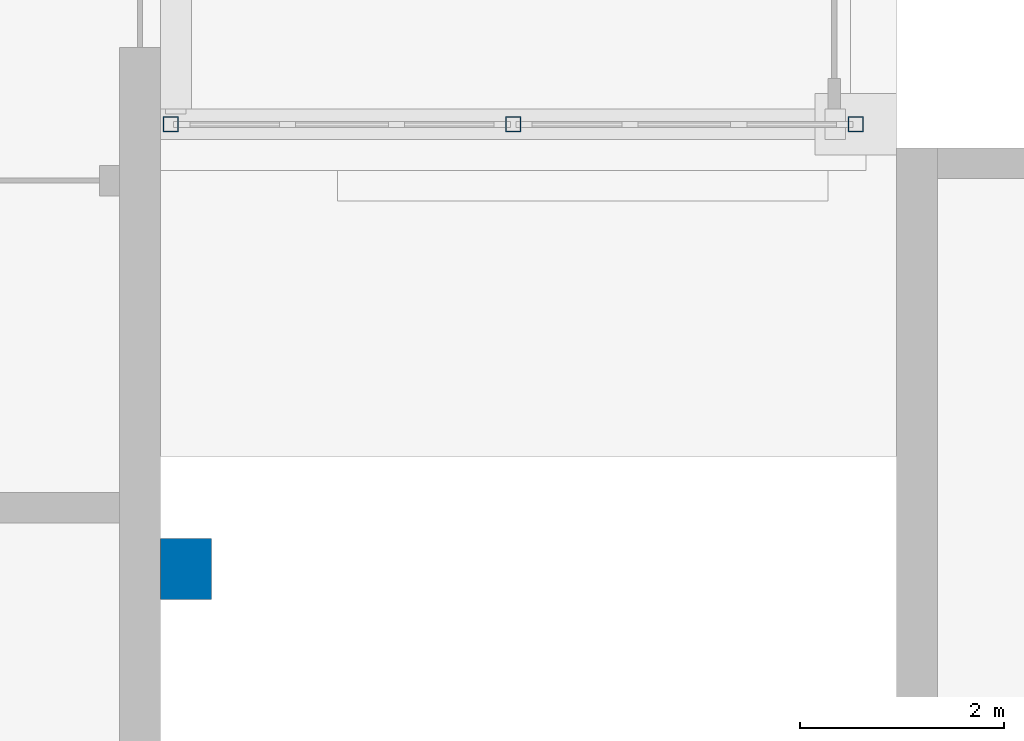
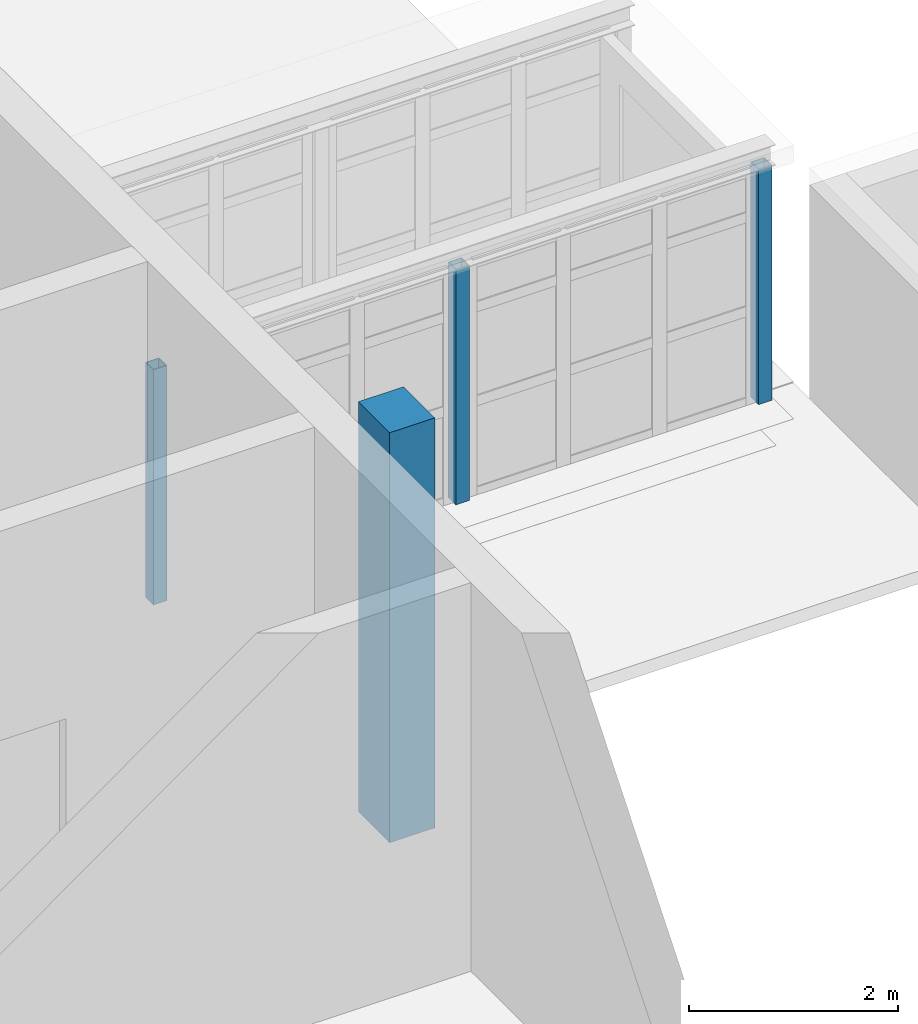
# One storey, part 16 of 131: 4 columns.
"""IFC4 building model written with IfcOpenShell, lengths in metres."""

from ifc_helpers import new_model, si_unit, direction, frame, origin, origin_2d, place, context, subcontext, project, spatial, rectangle, hollow_rectangle, extrude, material, material_profile, profile_set, type_object, element, save


model = new_model("IFC4")

# Units and contexts
model_context = context("Model", 3, precision=1e-05, world=origin(), true_north=direction((0.0, 1.0)))
body_context = subcontext(model_context, "Body", "Model", "MODEL_VIEW")
ifc_project = project(units=[si_unit("LENGTHUNIT", "METRE"), si_unit("AREAUNIT", "SQUARE_METRE"), si_unit("VOLUMEUNIT", "CUBIC_METRE"), si_unit("PLANEANGLEUNIT", "RADIAN"), si_unit("MASSUNIT", "GRAM", prefix="KILO")], contexts=[model_context])

# Site, building, storey
site_placement = place(None, origin())
site = spatial("IfcSite", under=ifc_project, at=site_placement, CompositionType="ELEMENT")
building_placement = place(site_placement, origin())
building = spatial("IfcBuilding", under=site, at=building_placement, Name="Alderwick Market Hall", CompositionType="ELEMENT")
storey_placement = place(building_placement, frame((0.0, 0.0, 4.800048828125)))
storey = spatial("IfcBuildingStorey", under=building, at=storey_placement, Name="L00", CompositionType="ELEMENT", Elevation=4.800048828125)

# Columns
ifc_material_1 = material(Name="Concrete 5000 psi (f'c 35 MPa)", Category="concrete")
ifc_material_profile_1 = material_profile(ifc_material_1, rectangle(XDim=0.5, YDim=0.60009765625, at=origin_2d()), Name="B Pilaster 500x600")
ifc_profile_set_1 = profile_set([ifc_material_profile_1], Name="Concrete 5000 psi (f'c 35 MPa)")
column_type_1 = type_object("IfcColumnType", Name="B Pilaster 500x600", PredefinedType="COLUMN", material=ifc_profile_set_1)
column_placement = place(storey_placement, frame((43.449951171875, 122.39990234375, 0.0), z_axis=(0.0, 0.0, 1.0), x_axis=(1.0, 0.0, 0.0)))
element("IfcColumn", 1, at=column_placement, inside=storey, type_object=column_type_1, Name="Pilaster E04", PredefinedType="COLUMN", context=body_context, shape_type="SweptSolid", body=[
    extrude(rectangle(XDim=0.5, YDim=0.60009765625, at=origin_2d()), origin(), (0.0, 0.0, 1.0), 4.800048828125),
])
ifc_material_2 = material(Name="Steel ASTM A500 Grade C", Category="steel")
ifc_material_profile_2 = material_profile(ifc_material_2, hollow_rectangle(XDim=0.152099609375, YDim=0.152099609375, WallThickness=0.009521484375, at=origin_2d()), Name="HSS152x152x9.5")
ifc_profile_set_2 = profile_set([ifc_material_profile_2], Name="Steel ASTM A500 Grade C")
column_type_2 = type_object("IfcColumnType", Name="P HSS Column 152x152x9.5", PredefinedType="COLUMN", material=ifc_profile_set_2)
for number, where, z_axis, x_axis, name in (
    (2, (43.300048828125, 126.75, 0.0), (0.0, 0.0, 1.0), (1.0, 0.0, 0.0), "P.P7.col.a0"),
    (3, (46.64990234375, 126.75, 0.0), (0.0, 0.0, 1.0), (1.0, 0.0, 0.0), "P.P7.col.a1"),
    (4, (50.0, 126.75, 0.0), (0.0, 0.0, 1.0), (1.0, 0.0, 0.0), "P.P7.col.a2"),
):
    element("IfcColumn", number, at=place(storey_placement, frame(where, z_axis=z_axis, x_axis=x_axis)), inside=storey, type_object=column_type_2, Name=name, PredefinedType="COLUMN", context=body_context, shape_type="SweptSolid", body=[
        extrude(hollow_rectangle(XDim=0.152099609375, YDim=0.152099609375, WallThickness=0.009521484375, at=origin_2d()), origin(), (0.0, 0.0, 1.0), 2.7529296875),
    ])

save(model, "model.ifc")
